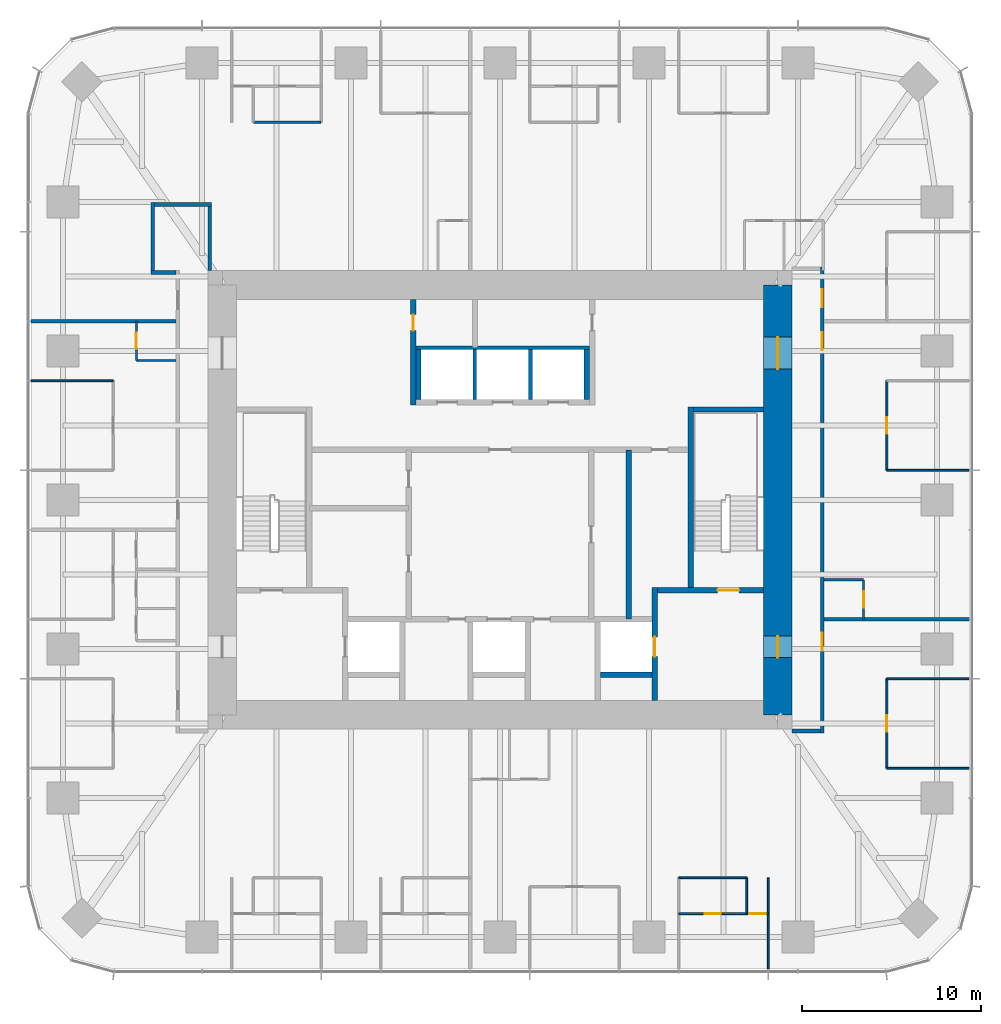
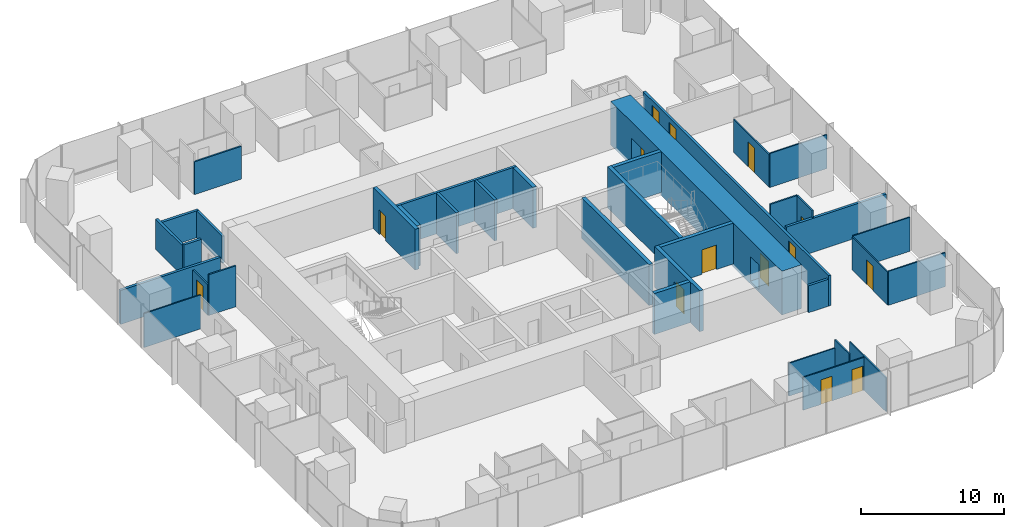
# One storey, part 10 of 12: 36 walls, 14 doors, 14 openings.
"""IFC4 building model written with IfcOpenShell, lengths in metres."""

from ifc_helpers import new_model, si_unit, direction, frame, frame_2d, origin, place, context, subcontext, project, spatial, rectangle, extrude, material, layer, layer_set, type_object, element, fill, save


model = new_model("IFC4")

# Units and contexts
model_context = context("Model", 3, precision=1e-05, world=origin(), true_north=direction((0.0, 1.0)))
body_context = subcontext(model_context, "Body", "Model", "MODEL_VIEW")
ifc_project = project(units=[si_unit("LENGTHUNIT", "METRE"), si_unit("AREAUNIT", "SQUARE_METRE"), si_unit("VOLUMEUNIT", "CUBIC_METRE"), si_unit("PLANEANGLEUNIT", "RADIAN"), si_unit("MASSUNIT", "GRAM", prefix="KILO")], contexts=[model_context])

# Site, building, storey
site_placement = place(None, origin())
site = spatial("IfcSite", under=ifc_project, at=site_placement, CompositionType="ELEMENT")
building_placement = place(site_placement, origin())
building = spatial("IfcBuilding", under=site, at=building_placement, Name="Khuree Lantern Residences", CompositionType="ELEMENT")
storey_placement = place(building_placement, frame((0.0, 0.0, 218.25)))
storey = spatial("IfcBuildingStorey", under=building, at=storey_placement, Name="L54", CompositionType="ELEMENT", Elevation=218.25)

# Wall, opening, door
ifc_material_1 = material(Name="Moisture-resistant gypsum board on steel studs", Category="steel")
ifc_layer_1 = layer(ifc_material_1, 0.125)
ifc_layer_set_1 = layer_set([ifc_layer_1], Name="BATHROOM WALL BTW125")
wall_type_1 = type_object("IfcWallType", Name="BATHROOM WALL BTW125", PredefinedType="PARTITIONING", material=ifc_layer_set_1)
wall_1_placement = place(storey_placement, frame((20.300048828125, -6.656005859375, 0.0), z_axis=(0.0, 0.0, 1.0), x_axis=(0.0, 1.0, 0.0)))
wall_1 = element("IfcWall", 1, at=wall_1_placement, inside=storey, type_object=wall_type_1, Name="L54 BATHROOM WALL 01", PredefinedType="PARTITIONING", context=body_context, shape_type="SweptSolid", body=[
    extrude(rectangle(XDim=2.199951171875, YDim=0.125, at=frame_2d((1.10009765625, 0.0))), origin(), (0.0, 0.0, 1.0), 3.5),
])
opening_1_placement = place(wall_1_placement, frame((0.64990234375, 0.0, 0.0)))
opening_1 = element("IfcOpeningElement", 2, at=opening_1_placement, cuts=wall_1, Name="Opening 54-023", PredefinedType="OPENING", context=body_context, shape_type="SweptSolid", body=[
    extrude(rectangle(XDim=0.89990234375, YDim=2.10009765625, at=frame_2d((0.449951171875, 1.050048828125))), frame((0.0, 0.072509765625, 0.0), z_axis=(0.0, -1.0, 0.0), x_axis=(1.0, 0.0, 0.0)), (0.0, 0.0, 1.0), 0.14501953125),
])
ifc_material_2 = material(Name="Timber door leaf in hardwood frame", Category="wood")
door_type_1 = type_object("IfcDoorType", Name="BATHROOM DOOR 900X2100", OperationType="SINGLE_SWING_LEFT", PredefinedType="DOOR", material=ifc_material_2)
door_1_placement = place(opening_1_placement, origin())
door_1 = element("IfcDoor", 3, at=door_1_placement, inside=storey, type_object=door_type_1, Name="Bathroom door 54-023", OperationType="SINGLE_SWING_LEFT", OverallHeight=2.10009765625, OverallWidth=0.89990234375, PredefinedType="DOOR", context=body_context, shape_type="SweptSolid", body=[
    extrude(rectangle(XDim=0.89990234375, YDim=2.10009765625, at=frame_2d((0.449951171875, 1.050048828125))), frame((0.0, 0.02490234375, 0.0), z_axis=(0.0, -1.0, 0.0), x_axis=(1.0, 0.0, 0.0)), (0.0, 0.0, 1.0), 0.050048828125),
])
fill(opening_1, door_1)

# Walls
wall_2_placement = place(storey_placement, frame((18.10009765625, -4.4560546875, 0.0), z_axis=(0.0, 0.0, 1.0), x_axis=(1.0, 0.0, 0.0)))
element("IfcWall", 4, at=wall_2_placement, inside=storey, type_object=wall_type_1, Name="L54 BATHROOM WALL 01", PredefinedType="PARTITIONING", context=body_context, shape_type="SweptSolid", body=[
    extrude(rectangle(XDim=2.199951171875, YDim=0.125, at=frame_2d((1.10009765625, 0.0))), origin(), (0.0, 0.0, 1.0), 3.5),
])
wall_3_placement = place(storey_placement, frame((-9.98388671875, 21.094970703125, 0.0), z_axis=(0.0, 0.0, 1.0), x_axis=(-1.0, 0.0, 0.0)))
element("IfcWall", 5, at=wall_3_placement, inside=storey, type_object=wall_type_1, Name="L54 BATHROOM WALL 03", PredefinedType="PARTITIONING", context=body_context, shape_type="SweptSolid", body=[
    extrude(rectangle(XDim=3.7919921875, YDim=0.125, at=frame_2d((1.89599609375, 0.0))), origin(), (0.0, 0.0, 1.0), 2.81005859375),
])

# Wall, opening, door
wall_4_placement = place(storey_placement, frame((-20.300048828125, 9.98388671875, 0.0), z_axis=(0.0, 0.0, 1.0), x_axis=(0.0, -1.0, 0.0)))
wall_4 = element("IfcWall", 6, at=wall_4_placement, inside=storey, type_object=wall_type_1, Name="L54 BATHROOM WALL 04", PredefinedType="PARTITIONING", context=body_context, shape_type="SweptSolid", body=[
    extrude(rectangle(XDim=2.199951171875, YDim=0.125, at=frame_2d((1.10009765625, 0.0))), origin(), (0.0, 0.0, 1.0), 2.60009765625),
])
opening_2_placement = place(wall_4_placement, frame((0.64990234375, 0.0, 0.0)))
opening_2 = element("IfcOpeningElement", 7, at=opening_2_placement, cuts=wall_4, Name="Opening 54-038", PredefinedType="OPENING", context=body_context, shape_type="SweptSolid", body=[
    extrude(rectangle(XDim=0.89990234375, YDim=2.10009765625, at=frame_2d((0.449951171875, 1.050048828125))), frame((0.0, 0.072509765625, 0.0), z_axis=(0.0, -1.0, 0.0), x_axis=(1.0, 0.0, 0.0)), (0.0, 0.0, 1.0), 0.14501953125),
])
door_2_placement = place(opening_2_placement, origin())
door_2 = element("IfcDoor", 8, at=door_2_placement, inside=storey, type_object=door_type_1, Name="Bathroom door 54-038", OperationType="SINGLE_SWING_LEFT", OverallHeight=2.10009765625, OverallWidth=0.89990234375, PredefinedType="DOOR", context=body_context, shape_type="SweptSolid", body=[
    extrude(rectangle(XDim=0.89990234375, YDim=2.10009765625, at=frame_2d((0.449951171875, 1.050048828125))), frame((0.0, 0.02490234375, 0.0), z_axis=(0.0, -1.0, 0.0), x_axis=(1.0, 0.0, 0.0)), (0.0, 0.0, 1.0), 0.050048828125),
])
fill(opening_2, door_2)

# Wall
wall_5_placement = place(storey_placement, frame((-18.10009765625, 7.783935546875, 0.0), z_axis=(0.0, 0.0, 1.0), x_axis=(-1.0, 0.0, 0.0)))
element("IfcWall", 9, at=wall_5_placement, inside=storey, type_object=wall_type_1, Name="L54 BATHROOM WALL 04", PredefinedType="PARTITIONING", context=body_context, shape_type="SweptSolid", body=[
    extrude(rectangle(XDim=2.199951171875, YDim=0.125, at=frame_2d((1.10009765625, 0.0))), origin(), (0.0, 0.0, 1.0), 3.5),
])

# Wall, opening, door
ifc_material_3 = material(Name="Dense concrete blockwork", Category="masonry")
ifc_layer_2 = layer(ifc_material_3, 0.300048828125)
ifc_layer_set_2 = layer_set([ifc_layer_2], Name="CORE PARTITION WALL CPW300 EI 120")
wall_type_2 = type_object("IfcWallType", Name="CORE PARTITION WALL CPW300 EI 120", PredefinedType="PARTITIONING", material=ifc_layer_set_2)
wall_6_placement = place(storey_placement, frame((8.64990234375, -11.199951171875, 0.0), z_axis=(0.0, 0.0, 1.0), x_axis=(0.0, 1.0, 0.0)))
wall_6 = element("IfcWall", 10, at=wall_6_placement, inside=storey, type_object=wall_type_2, Name="L54 CORE WALL FL2E", PredefinedType="PARTITIONING", context=body_context, shape_type="SweptSolid", body=[
    extrude(rectangle(XDim=6.300048828125, YDim=0.300048828125, at=frame_2d((3.14990234375, 0.0))), origin(), (0.0, 0.0, 1.0), 3.5),
])
opening_3_placement = place(wall_6_placement, frame((2.449951171875, 0.0, 0.0)))
opening_3 = element("IfcOpeningElement", 11, at=opening_3_placement, cuts=wall_6, Name="Opening 54-008", PredefinedType="OPENING", context=body_context, shape_type="SweptSolid", body=[
    extrude(rectangle(XDim=1.10009765625, YDim=2.10009765625, at=frame_2d((0.550048828125, 1.050048828125))), frame((0.0, 0.16015625, 0.0), z_axis=(0.0, -1.0, 0.0), x_axis=(1.0, 0.0, 0.0)), (0.0, 0.0, 1.0), 0.320068359375),
])
ifc_material_4 = material(Name="Stainless steel lift landing door", Category="steel")
door_type_2 = type_object("IfcDoorType", Name="LIFT LANDING DOOR 1100X2100 E 120", OperationType="DOUBLE_DOOR_SLIDING", PredefinedType="DOOR", material=ifc_material_4)
door_3_placement = place(opening_3_placement, origin())
door_3 = element("IfcDoor", 12, at=door_3_placement, inside=storey, type_object=door_type_2, Name="Landing door FL2 54-008", OperationType="DOUBLE_DOOR_SLIDING", OverallHeight=2.10009765625, OverallWidth=1.10009765625, PredefinedType="DOOR", context=body_context, shape_type="SweptSolid", body=[
    extrude(rectangle(XDim=1.10009765625, YDim=2.10009765625, at=frame_2d((0.550048828125, 1.050048828125))), frame((0.0, 0.02490234375, 0.0), z_axis=(0.0, -1.0, 0.0), x_axis=(1.0, 0.0, 0.0)), (0.0, 0.0, 1.0), 0.050048828125),
])
fill(opening_3, door_3)

# Walls
wall_7_placement = place(storey_placement, frame((5.60009765625, -9.75, 0.0), z_axis=(0.0, 0.0, 1.0), x_axis=(1.0, 0.0, 0.0)))
element("IfcWall", 13, at=wall_7_placement, inside=storey, type_object=wall_type_2, Name="L54 CORE WALL FL2S", PredefinedType="PARTITIONING", context=body_context, shape_type="SweptSolid", body=[
    extrude(rectangle(XDim=2.89990234375, YDim=0.300048828125, at=frame_2d((1.449951171875, 0.0))), origin(), (0.0, 0.0, 1.0), 3.5),
])
for number, where, z_axis, x_axis, name in (
    (14, (-4.550048828125, 5.60009765625, 0.0), (0.0, 0.0, 1.0), (0.0, 1.0, 0.0), "L54 CORE WALL PHW"),
    (15, (4.85009765625, 5.60009765625, 0.0), (0.0, 0.0, 1.0), (0.0, 1.0, 0.0), "L54 CORE WALL PHE"),
):
    element("IfcWall", number, at=place(storey_placement, frame(where, z_axis=z_axis, x_axis=x_axis)), inside=storey, type_object=wall_type_2, Name=name, PredefinedType="PARTITIONING", context=body_context, shape_type="SweptSolid", body=[
        extrude(rectangle(XDim=2.7998046875, YDim=0.300048828125, at=frame_2d((1.39990234375, 0.0))), origin(), (0.0, 0.0, 1.0), 3.5),
    ])
wall_8_placement = place(storey_placement, frame((7.193115234375, -6.64990234375, 0.0), z_axis=(0.0, 0.0, 1.0), x_axis=(0.0, 1.0, 0.0)))
element("IfcWall", 16, at=wall_8_placement, inside=storey, type_object=wall_type_2, Name="L54 CORE WALL EV", PredefinedType="PARTITIONING", context=body_context, shape_type="SweptSolid", body=[
    extrude(rectangle(XDim=9.449951171875, YDim=0.300048828125, at=frame_2d((4.72509765625, 0.0))), origin(), (0.0, 0.0, 1.0), 3.5),
])

# Wall, opening, door
wall_9_placement = place(storey_placement, frame((-4.85009765625, 5.300048828125, 0.0), z_axis=(0.0, 0.0, 1.0), x_axis=(0.0, 1.0, 0.0)))
wall_9 = element("IfcWall", 17, at=wall_9_placement, inside=storey, type_object=wall_type_2, Name="L54 CORE WALL NW", PredefinedType="PARTITIONING", context=body_context, shape_type="SweptSolid", body=[
    extrude(rectangle(XDim=5.89990234375, YDim=0.300048828125, at=frame_2d((2.949951171875, 0.0))), origin(), (0.0, 0.0, 1.0), 3.5),
])
opening_4_placement = place(wall_9_placement, frame((4.14990234375, 0.0, 0.0)))
opening_4 = element("IfcOpeningElement", 18, at=opening_4_placement, cuts=wall_9, Name="Opening 54-020", PredefinedType="OPENING", context=body_context, shape_type="SweptSolid", body=[
    extrude(rectangle(XDim=0.89990234375, YDim=2.10009765625, at=frame_2d((0.449951171875, 1.050048828125))), frame((0.0, 0.16015625, 0.0), z_axis=(0.0, -1.0, 0.0), x_axis=(1.0, 0.0, 0.0)), (0.0, 0.0, 1.0), 0.320068359375),
])
door_type_3 = type_object("IfcDoorType", Name="DOOR 900X2100 RIGHT HAND", OperationType="SINGLE_SWING_RIGHT", PredefinedType="DOOR", material=ifc_material_2)
door_4_placement = place(opening_4_placement, origin())
door_4 = element("IfcDoor", 19, at=door_4_placement, inside=storey, type_object=door_type_3, Name="Comms room door 54-020", OperationType="SINGLE_SWING_RIGHT", OverallHeight=2.10009765625, OverallWidth=0.89990234375, PredefinedType="DOOR", context=body_context, shape_type="SweptSolid", body=[
    extrude(rectangle(XDim=0.89990234375, YDim=2.10009765625, at=frame_2d((0.449951171875, 1.050048828125))), frame((0.0, 0.02490234375, 0.0), z_axis=(0.0, -1.0, 0.0), x_axis=(1.0, 0.0, 0.0)), (0.0, 0.0, 1.0), 0.050048828125),
])
fill(opening_4, door_4)

# Walls
ifc_material_5 = material(Name="Gypsum board on steel studs", Category="steel")
ifc_layer_3 = layer(ifc_material_5, 0.199951171875)
ifc_layer_set_3 = layer_set([ifc_layer_3], Name="CORRIDOR WALL CRW200 EI 60")
wall_type_3 = type_object("IfcWallType", Name="CORRIDOR WALL CRW200 EI 60", PredefinedType="PARTITIONING", material=ifc_layer_set_3)
wall_10_placement = place(storey_placement, frame((-18.10009765625, 12.699951171875, 0.0), z_axis=(0.0, 0.0, 1.0), x_axis=(-1.0, 0.0, 0.0)))
element("IfcWall", 20, at=wall_10_placement, inside=storey, type_object=wall_type_3, Name="L54 RESIDENTS LOUNGE WALL", PredefinedType="PARTITIONING", context=body_context, shape_type="SweptSolid", body=[
    extrude(rectangle(XDim=1.39990234375, YDim=0.199951171875, at=frame_2d((0.699951171875, 0.0))), origin(), (0.0, 0.0, 1.0), 2.81005859375),
])
wall_11_placement = place(storey_placement, frame((-19.39990234375, 12.60009765625, 0.0), z_axis=(0.0, 0.0, 1.0), x_axis=(0.0, 1.0, 0.0)))
element("IfcWall", 21, at=wall_11_placement, inside=storey, type_object=wall_type_3, Name="L54 RESIDENTS LOUNGE WALL", PredefinedType="PARTITIONING", context=body_context, shape_type="SweptSolid", body=[
    extrude(rectangle(XDim=4.0, YDim=0.199951171875, at=frame_2d((2.0, 0.0))), origin(), (0.0, 0.0, 1.0), 2.60009765625),
])
wall_12_placement = place(storey_placement, frame((-19.300048828125, 16.5, 0.0), z_axis=(0.0, 0.0, 1.0), x_axis=(1.0, 0.0, 0.0)))
element("IfcWall", 22, at=wall_12_placement, inside=storey, type_object=wall_type_3, Name="L54 RESIDENTS LOUNGE WALL", PredefinedType="PARTITIONING", context=body_context, shape_type="SweptSolid", body=[
    extrude(rectangle(XDim=3.199951171875, YDim=0.199951171875, at=frame_2d((1.60009765625, 0.0))), origin(), (0.0, 0.0, 1.0), 2.300048828125),
])
wall_13_placement = place(storey_placement, frame((-16.199951171875, 16.60009765625, 0.0), z_axis=(0.0, 0.0, 1.0), x_axis=(0.0, -1.0, 0.0)))
element("IfcWall", 23, at=wall_13_placement, inside=storey, type_object=wall_type_3, Name="L54 RESIDENTS LOUNGE WALL", PredefinedType="PARTITIONING", context=body_context, shape_type="SweptSolid", body=[
    extrude(rectangle(XDim=3.800048828125, YDim=0.199951171875, at=frame_2d((1.89990234375, 0.0))), origin(), (0.0, 0.0, 1.0), 2.300048828125),
])
wall_14_placement = place(storey_placement, frame((16.300048828125, -12.89990234375, 0.0), z_axis=(0.0, 0.0, 1.0), x_axis=(1.0, 0.0, 0.0)))
element("IfcWall", 24, at=wall_14_placement, inside=storey, type_object=wall_type_3, Name="L54 EAST CORRIDOR SOUTH END WALL", PredefinedType="PARTITIONING", context=body_context, shape_type="SweptSolid", body=[
    extrude(rectangle(XDim=1.599853515625, YDim=0.199951171875, at=frame_2d((0.7998046875, 0.0))), origin(), (0.0, 0.0, 1.0), 2.300048828125),
])

# Wall, openings, doors
wall_15_placement = place(storey_placement, frame((18.0, -13.0, 0.0), z_axis=(0.0, 0.0, 1.0), x_axis=(0.0, 1.0, 0.0)))
wall_15 = element("IfcWall", 25, at=wall_15_placement, inside=storey, type_object=wall_type_3, Name="L54 CORRIDOR WALL EAST 1", PredefinedType="PARTITIONING", context=body_context, shape_type="SweptSolid", body=[
    extrude(rectangle(XDim=26.0, YDim=0.199951171875, at=frame_2d((13.0, 0.0))), origin(), (0.0, 0.0, 1.0), 2.60009765625),
])
opening_5_placement = place(wall_15_placement, frame((21.364013671875, 0.0, 0.0)))
opening_5 = element("IfcOpeningElement", 26, at=opening_5_placement, cuts=wall_15, Name="Opening 54-024", PredefinedType="OPENING", context=body_context, shape_type="SweptSolid", body=[
    extrude(rectangle(XDim=1.0, YDim=2.199951171875, at=frame_2d((0.5, 1.10009765625))), frame((0.0, 0.10986328125, 0.0), z_axis=(0.0, -1.0, 0.0), x_axis=(1.0, 0.0, 0.0)), (0.0, 0.0, 1.0), 0.219970703125),
])
opening_6_placement = place(wall_15_placement, frame((23.75390625, 0.0, 0.0)))
opening_6 = element("IfcOpeningElement", 27, at=opening_6_placement, cuts=wall_15, Name="Opening 54-031", PredefinedType="OPENING", context=body_context, shape_type="SweptSolid", body=[
    extrude(rectangle(XDim=1.0, YDim=2.199951171875, at=frame_2d((0.5, 1.10009765625))), frame((0.0, 0.10986328125, 0.0), z_axis=(0.0, -1.0, 0.0), x_axis=(1.0, 0.0, 0.0)), (0.0, 0.0, 1.0), 0.219970703125),
])
opening_7_placement = place(wall_15_placement, frame((4.60009765625, 0.0, 0.0)))
opening_7 = element("IfcOpeningElement", 28, at=opening_7_placement, cuts=wall_15, Name="Opening 54-056", PredefinedType="OPENING", context=body_context, shape_type="SweptSolid", body=[
    extrude(rectangle(XDim=1.0, YDim=2.199951171875, at=frame_2d((0.5, 1.10009765625))), frame((0.0, 0.10986328125, 0.0), z_axis=(0.0, -1.0, 0.0), x_axis=(1.0, 0.0, 0.0)), (0.0, 0.0, 1.0), 0.219970703125),
])
door_type_4 = type_object("IfcDoorType", Name="APARTMENT ENTRANCE DOOR 1000X2200 EI 30S", OperationType="SINGLE_SWING_LEFT", PredefinedType="DOOR", material=ifc_material_2)
door_5_placement = place(opening_7_placement, origin())
door_5 = element("IfcDoor", 29, at=door_5_placement, inside=storey, type_object=door_type_4, Name="Apartment 06 entrance door 54-056", OperationType="SINGLE_SWING_LEFT", OverallHeight=2.199951171875, OverallWidth=1.0, PredefinedType="DOOR", context=body_context, shape_type="SweptSolid", body=[
    extrude(rectangle(XDim=1.0, YDim=2.199951171875, at=frame_2d((0.5, 1.10009765625))), frame((0.0, 0.02490234375, 0.0), z_axis=(0.0, -1.0, 0.0), x_axis=(1.0, 0.0, 0.0)), (0.0, 0.0, 1.0), 0.050048828125),
])
fill(opening_7, door_5)
door_type_5 = type_object("IfcDoorType", Name="APARTMENT ENTRANCE DOOR 1000X2200 EI 30S RIGHT HAND", OperationType="SINGLE_SWING_RIGHT", PredefinedType="DOOR", material=ifc_material_2)
door_6_placement = place(opening_5_placement, origin())
door_6 = element("IfcDoor", 30, at=door_6_placement, inside=storey, type_object=door_type_5, Name="Apartment 01 entrance door 54-024", OperationType="SINGLE_SWING_RIGHT", OverallHeight=2.199951171875, OverallWidth=1.0, PredefinedType="DOOR", context=body_context, shape_type="SweptSolid", body=[
    extrude(rectangle(XDim=1.0, YDim=2.199951171875, at=frame_2d((0.5, 1.10009765625))), frame((0.0, 0.02490234375, 0.0), z_axis=(0.0, -1.0, 0.0), x_axis=(1.0, 0.0, 0.0)), (0.0, 0.0, 1.0), 0.050048828125),
])
fill(opening_5, door_6)
door_7_placement = place(opening_6_placement, origin())
door_7 = element("IfcDoor", 31, at=door_7_placement, inside=storey, type_object=door_type_5, Name="Apartment 02 entrance door 54-031", OperationType="SINGLE_SWING_RIGHT", OverallHeight=2.199951171875, OverallWidth=1.0, PredefinedType="DOOR", context=body_context, shape_type="SweptSolid", body=[
    extrude(rectangle(XDim=1.0, YDim=2.199951171875, at=frame_2d((0.5, 1.10009765625))), frame((0.0, 0.02490234375, 0.0), z_axis=(0.0, -1.0, 0.0), x_axis=(1.0, 0.0, 0.0)), (0.0, 0.0, 1.0), 0.050048828125),
])
fill(opening_6, door_7)

ifc_material_6 = material(Name="Concrete C50/60", Category="concrete")
ifc_layer_4 = layer(ifc_material_6, 1.60009765625)
ifc_layer_set_4 = layer_set([ifc_layer_4], Name="CW1600-C50 CORE WALL C50 1600")
wall_type_4 = type_object("IfcWallType", Name="CW1600-C50 CORE WALL C50 1600", PredefinedType="SHEAR", material=ifc_layer_set_4)
wall_16_placement = place(storey_placement, frame((15.5, -12.0, -0.25), z_axis=(0.0, 0.0, 1.0), x_axis=(0.0, 1.0, 0.0)))
wall_16 = element("IfcWall", 32, at=wall_16_placement, inside=storey, type_object=wall_type_4, Name="Core wall E", PredefinedType="SHEAR", context=body_context, shape_type="SweptSolid", body=[
    extrude(rectangle(XDim=24.0, YDim=1.60009765625, at=frame_2d((12.0, 0.0))), origin(), (0.0, 0.0, 1.0), 3.75),
])
opening_8_placement = place(wall_16_placement, frame((3.199951171875, 0.0, 0.25)))
opening_8 = element("IfcOpeningElement", 33, at=opening_8_placement, cuts=wall_16, Name="Opening 54-005", PredefinedType="OPENING", context=body_context, shape_type="SweptSolid", body=[
    extrude(rectangle(XDim=1.199951171875, YDim=2.10009765625, at=frame_2d((0.60009765625, 1.050048828125))), frame((0.0, 0.81005859375, 0.0), z_axis=(0.0, -1.0, 0.0), x_axis=(1.0, 0.0, 0.0)), (0.0, 0.0, 1.0), 1.6201171875),
])
opening_9_placement = place(wall_16_placement, frame((19.300048828125, 0.0, 0.25)))
opening_9 = element("IfcOpeningElement", 34, at=opening_9_placement, cuts=wall_16, Name="Opening 54-006", PredefinedType="OPENING", context=body_context, shape_type="SweptSolid", body=[
    extrude(rectangle(XDim=1.800048828125, YDim=2.10009765625, at=frame_2d((0.89990234375, 1.050048828125))), frame((0.0, 0.81005859375, 0.0), z_axis=(0.0, -1.0, 0.0), x_axis=(1.0, 0.0, 0.0)), (0.0, 0.0, 1.0), 1.6201171875),
])
ifc_material_7 = material(Name="Steel door leaf in steel frame", Category="steel")
door_type_6 = type_object("IfcDoorType", Name="LOBBY DOOR 1200X2100 EI 120", OperationType="SINGLE_SWING_LEFT", PredefinedType="DOOR", material=ifc_material_7)
door_8_placement = place(opening_8_placement, origin())
door_8 = element("IfcDoor", 35, at=door_8_placement, inside=storey, type_object=door_type_6, Name="Firefighting lobby door 54-005", OperationType="SINGLE_SWING_LEFT", OverallHeight=2.10009765625, OverallWidth=1.199951171875, PredefinedType="DOOR", context=body_context, shape_type="SweptSolid", body=[
    extrude(rectangle(XDim=1.199951171875, YDim=2.10009765625, at=frame_2d((0.60009765625, 1.050048828125))), frame((0.0, 0.02490234375, 0.0), z_axis=(0.0, -1.0, 0.0), x_axis=(1.0, 0.0, 0.0)), (0.0, 0.0, 1.0), 0.050048828125),
])
fill(opening_8, door_8)
door_type_7 = type_object("IfcDoorType", Name="LOBBY DOUBLE DOOR 1800X2100 EI 60", OperationType="DOUBLE_DOOR_SINGLE_SWING", PredefinedType="DOOR", material=ifc_material_7)
door_9_placement = place(opening_9_placement, origin())
door_9 = element("IfcDoor", 36, at=door_9_placement, inside=storey, type_object=door_type_7, Name="Lift lobby door 54-006", OperationType="DOUBLE_DOOR_SINGLE_SWING", OverallHeight=2.10009765625, OverallWidth=1.800048828125, PredefinedType="DOOR", context=body_context, shape_type="SweptSolid", body=[
    extrude(rectangle(XDim=1.800048828125, YDim=2.10009765625, at=frame_2d((0.89990234375, 1.050048828125))), frame((0.0, 0.02490234375, 0.0), z_axis=(0.0, -1.0, 0.0), x_axis=(1.0, 0.0, 0.0)), (0.0, 0.0, 1.0), 0.050048828125),
])
fill(opening_9, door_9)

# Walls
ifc_layer_5 = layer(ifc_material_5, 0.199951171875)
ifc_layer_set_5 = layer_set([ifc_layer_5], Name="DEMISING WALL DMW200 EI 90")
wall_type_5 = type_object("IfcWallType", Name="DEMISING WALL DMW200 EI 90", PredefinedType="PARTITIONING", material=ifc_layer_set_5)
for number, where, z_axis, x_axis, name in (
    (37, (18.10009765625, -6.656005859375, 0.0), (0.0, 0.0, 1.0), (1.0, 0.0, 0.0), "L54 DEMISING WALL 01"),
    (38, (-18.10009765625, 9.98388671875, 0.0), (0.0, 0.0, 1.0), (-1.0, 0.0, 0.0), "L54 DEMISING WALL 04"),
):
    element("IfcWall", number, at=place(storey_placement, frame(where, z_axis=z_axis, x_axis=x_axis)), inside=storey, type_object=wall_type_5, Name=name, PredefinedType="PARTITIONING", context=body_context, shape_type="SweptSolid", body=[
        extrude(rectangle(XDim=8.099853515625, YDim=0.199951171875, at=frame_2d((4.0498046875, 0.0))), origin(), (0.0, 0.0, 1.0), 2.909912109375),
    ])
ifc_layer_6 = layer(ifc_material_5, 0.10009765625)
ifc_layer_set_6 = layer_set([ifc_layer_6], Name="PARTITION PT100")
wall_type_6 = type_object("IfcWallType", Name="PARTITION PT100", PredefinedType="PARTITIONING", material=ifc_layer_set_6)
for number, where, z_axis, x_axis, name in (
    (39, (21.60009765625, 1.6640625, 0.0), (0.0, 0.0, 1.0), (1.0, 0.0, 0.0), "L54 PARTITION 01"),
    (40, (-21.60009765625, 6.656005859375, 0.0), (0.0, 0.0, 1.0), (-1.0, 0.0, 0.0), "L54 PARTITION 04"),
):
    element("IfcWall", number, at=place(storey_placement, frame(where, z_axis=z_axis, x_axis=x_axis)), inside=storey, type_object=wall_type_6, Name=name, PredefinedType="PARTITIONING", context=body_context, shape_type="SweptSolid", body=[
        extrude(rectangle(XDim=4.599853515625, YDim=0.10009765625, at=frame_2d((2.2998046875, 0.0))), origin(), (0.0, 0.0, 1.0), 2.909912109375),
    ])
wall_17_placement = place(storey_placement, frame((14.97607421875, -21.094970703125, 0.0), z_axis=(0.0, 0.0, 1.0), x_axis=(0.0, -1.0, 0.0)))
element("IfcWall", 41, at=wall_17_placement, inside=storey, type_object=wall_type_6, Name="L54 PARTITION 06", PredefinedType="PARTITIONING", context=body_context, shape_type="SweptSolid", body=[
    extrude(rectangle(XDim=5.10498046875, YDim=0.10009765625, at=frame_2d((2.552490234375, 0.0))), origin(), (0.0, 0.0, 1.0), 2.909912109375),
])
for number, where, z_axis, x_axis, name in (
    (42, (21.60009765625, -14.97607421875, 0.0), (0.0, 0.0, 1.0), (1.0, 0.0, 0.0), "L54 PARTITION 06"),
    (43, (21.60009765625, -9.98388671875, 0.0), (0.0, 0.0, 1.0), (1.0, 0.0, 0.0), "L54 PARTITION 06"),
):
    element("IfcWall", number, at=place(storey_placement, frame(where, z_axis=z_axis, x_axis=x_axis)), inside=storey, type_object=wall_type_6, Name=name, PredefinedType="PARTITIONING", context=body_context, shape_type="SweptSolid", body=[
        extrude(rectangle(XDim=4.599853515625, YDim=0.10009765625, at=frame_2d((2.2998046875, 0.0))), origin(), (0.0, 0.0, 1.0), 2.909912109375),
    ])

# Wall, opening, door
wall_18_placement = place(storey_placement, frame((21.60009765625, 1.6640625, 0.0), z_axis=(0.0, 0.0, 1.0), x_axis=(0.0, 1.0, 0.0)))
wall_18 = element("IfcWall", 44, at=wall_18_placement, inside=storey, type_object=wall_type_6, Name="L54 PARTITION 01", PredefinedType="PARTITIONING", context=body_context, shape_type="SweptSolid", body=[
    extrude(rectangle(XDim=4.991943359375, YDim=0.10009765625, at=frame_2d((2.49609375, 0.0))), origin(), (0.0, 0.0, 1.0), 2.81005859375),
])
opening_10_placement = place(wall_18_placement, frame((2.0458984375, 0.0, 0.0)))
opening_10 = element("IfcOpeningElement", 45, at=opening_10_placement, cuts=wall_18, Name="Opening 54-022", PredefinedType="OPENING", context=body_context, shape_type="SweptSolid", body=[
    extrude(rectangle(XDim=0.89990234375, YDim=2.10009765625, at=frame_2d((0.449951171875, 1.050048828125))), frame((0.0, 0.06005859375, 0.0), z_axis=(0.0, -1.0, 0.0), x_axis=(1.0, 0.0, 0.0)), (0.0, 0.0, 1.0), 0.1201171875),
])
door_type_8 = type_object("IfcDoorType", Name="BEDROOM DOOR 900X2100", OperationType="SINGLE_SWING_LEFT", PredefinedType="DOOR", material=ifc_material_2)
door_10_placement = place(opening_10_placement, origin())
door_10 = element("IfcDoor", 46, at=door_10_placement, inside=storey, type_object=door_type_8, Name="Bedroom door 54-022", OperationType="SINGLE_SWING_LEFT", OverallHeight=2.10009765625, OverallWidth=0.89990234375, PredefinedType="DOOR", context=body_context, shape_type="SweptSolid", body=[
    extrude(rectangle(XDim=0.89990234375, YDim=2.10009765625, at=frame_2d((0.449951171875, 1.050048828125))), frame((0.0, 0.02490234375, 0.0), z_axis=(0.0, -1.0, 0.0), x_axis=(1.0, 0.0, 0.0)), (0.0, 0.0, 1.0), 0.050048828125),
])
fill(opening_10, door_10)

# Wall, openings, doors
wall_19_placement = place(storey_placement, frame((9.98388671875, -23.094970703125, 0.0), z_axis=(0.0, 0.0, 1.0), x_axis=(1.0, 0.0, 0.0)))
wall_19 = element("IfcWall", 47, at=wall_19_placement, inside=storey, type_object=wall_type_6, Name="L54 PARTITION 06", PredefinedType="PARTITIONING", context=body_context, shape_type="SweptSolid", body=[
    extrude(rectangle(XDim=4.9921875, YDim=0.10009765625, at=frame_2d((2.49609375, 0.0))), origin(), (0.0, 0.0, 1.0), 2.81005859375),
])
opening_11_placement = place(wall_19_placement, frame((3.94189453125, 0.0, 0.0)))
opening_11 = element("IfcOpeningElement", 48, at=opening_11_placement, cuts=wall_19, Name="Opening 54-051", PredefinedType="OPENING", context=body_context, shape_type="SweptSolid", body=[
    extrude(rectangle(XDim=0.89990234375, YDim=2.10009765625, at=frame_2d((0.449951171875, 1.050048828125))), frame((0.0, 0.06005859375, 0.0), z_axis=(0.0, -1.0, 0.0), x_axis=(1.0, 0.0, 0.0)), (0.0, 0.0, 1.0), 0.1201171875),
])
opening_12_placement = place(wall_19_placement, frame((1.446044921875, 0.0, 0.0)))
opening_12 = element("IfcOpeningElement", 49, at=opening_12_placement, cuts=wall_19, Name="Opening 54-052", PredefinedType="OPENING", context=body_context, shape_type="SweptSolid", body=[
    extrude(rectangle(XDim=0.89990234375, YDim=2.10009765625, at=frame_2d((0.449951171875, 1.050048828125))), frame((0.0, 0.06005859375, 0.0), z_axis=(0.0, -1.0, 0.0), x_axis=(1.0, 0.0, 0.0)), (0.0, 0.0, 1.0), 0.1201171875),
])
door_11_placement = place(opening_11_placement, origin())
door_11 = element("IfcDoor", 50, at=door_11_placement, inside=storey, type_object=door_type_8, Name="Bedroom door 54-051", OperationType="SINGLE_SWING_LEFT", OverallHeight=2.10009765625, OverallWidth=0.89990234375, PredefinedType="DOOR", context=body_context, shape_type="SweptSolid", body=[
    extrude(rectangle(XDim=0.89990234375, YDim=2.10009765625, at=frame_2d((0.449951171875, 1.050048828125))), frame((0.0, 0.02490234375, 0.0), z_axis=(0.0, -1.0, 0.0), x_axis=(1.0, 0.0, 0.0)), (0.0, 0.0, 1.0), 0.050048828125),
])
fill(opening_11, door_11)
door_type_9 = type_object("IfcDoorType", Name="DOOR 900X2100", OperationType="SINGLE_SWING_LEFT", PredefinedType="DOOR", material=ifc_material_2)
door_12_placement = place(opening_12_placement, origin())
door_12 = element("IfcDoor", 51, at=door_12_placement, inside=storey, type_object=door_type_9, Name="Wardrobe door 54-052", OperationType="SINGLE_SWING_LEFT", OverallHeight=2.10009765625, OverallWidth=0.89990234375, PredefinedType="DOOR", context=body_context, shape_type="SweptSolid", body=[
    extrude(rectangle(XDim=0.89990234375, YDim=2.10009765625, at=frame_2d((0.449951171875, 1.050048828125))), frame((0.0, 0.02490234375, 0.0), z_axis=(0.0, -1.0, 0.0), x_axis=(1.0, 0.0, 0.0)), (0.0, 0.0, 1.0), 0.050048828125),
])
fill(opening_12, door_12)

# Walls
wall_20_placement = place(storey_placement, frame((13.77587890625, -21.094970703125, 0.0), z_axis=(0.0, 0.0, 1.0), x_axis=(0.0, -1.0, 0.0)))
element("IfcWall", 52, at=wall_20_placement, inside=storey, type_object=wall_type_6, Name="L54 PARTITION 06", PredefinedType="PARTITIONING", context=body_context, shape_type="SweptSolid", body=[
    extrude(rectangle(XDim=2.0, YDim=0.10009765625, at=frame_2d((1.0, 0.0))), origin(), (0.0, 0.0, 1.0), 3.5),
])
wall_21_placement = place(storey_placement, frame((9.98388671875, -21.094970703125, 0.0), z_axis=(0.0, 0.0, 1.0), x_axis=(1.0, 0.0, 0.0)))
element("IfcWall", 53, at=wall_21_placement, inside=storey, type_object=wall_type_6, Name="L54 PARTITION 06", PredefinedType="PARTITIONING", context=body_context, shape_type="SweptSolid", body=[
    extrude(rectangle(XDim=3.7919921875, YDim=0.10009765625, at=frame_2d((1.89599609375, 0.0))), origin(), (0.0, 0.0, 1.0), 2.81005859375),
])

# Wall, opening, door
wall_22_placement = place(storey_placement, frame((21.60009765625, -14.97607421875, 0.0), z_axis=(0.0, 0.0, 1.0), x_axis=(0.0, 1.0, 0.0)))
wall_22 = element("IfcWall", 54, at=wall_22_placement, inside=storey, type_object=wall_type_6, Name="L54 PARTITION 06", PredefinedType="PARTITIONING", context=body_context, shape_type="SweptSolid", body=[
    extrude(rectangle(XDim=4.9921875, YDim=0.10009765625, at=frame_2d((2.49609375, 0.0))), origin(), (0.0, 0.0, 1.0), 2.81005859375),
])
opening_13_placement = place(wall_22_placement, frame((2.0458984375, 0.0, 0.0)))
opening_13 = element("IfcOpeningElement", 55, at=opening_13_placement, cuts=wall_22, Name="Opening 54-053", PredefinedType="OPENING", context=body_context, shape_type="SweptSolid", body=[
    extrude(rectangle(XDim=0.89990234375, YDim=2.10009765625, at=frame_2d((0.449951171875, 1.050048828125))), frame((0.0, 0.06005859375, 0.0), z_axis=(0.0, -1.0, 0.0), x_axis=(1.0, 0.0, 0.0)), (0.0, 0.0, 1.0), 0.1201171875),
])
door_13_placement = place(opening_13_placement, origin())
door_13 = element("IfcDoor", 56, at=door_13_placement, inside=storey, type_object=door_type_8, Name="Bedroom door 54-053", OperationType="SINGLE_SWING_LEFT", OverallHeight=2.10009765625, OverallWidth=0.89990234375, PredefinedType="DOOR", context=body_context, shape_type="SweptSolid", body=[
    extrude(rectangle(XDim=0.89990234375, YDim=2.10009765625, at=frame_2d((0.449951171875, 1.050048828125))), frame((0.0, 0.02490234375, 0.0), z_axis=(0.0, -1.0, 0.0), x_axis=(1.0, 0.0, 0.0)), (0.0, 0.0, 1.0), 0.050048828125),
])
fill(opening_13, door_13)

# Walls
ifc_layer_7 = layer(ifc_material_3, 0.199951171875)
ifc_layer_set_7 = layer_set([ifc_layer_7], Name="SHAFT WALL SHW200 EI 120")
wall_type_7 = type_object("IfcWallType", Name="SHAFT WALL SHW200 EI 120", PredefinedType="PARTITIONING", material=ifc_layer_set_7)
wall_23_placement = place(storey_placement, frame((-4.699951171875, 8.5, 0.0), z_axis=(0.0, 0.0, 1.0), x_axis=(1.0, 0.0, 0.0)))
element("IfcWall", 57, at=wall_23_placement, inside=storey, type_object=wall_type_7, Name="L54 CORE WALL PHN", PredefinedType="PARTITIONING", context=body_context, shape_type="SweptSolid", body=[
    extrude(rectangle(XDim=9.699951171875, YDim=0.199951171875, at=frame_2d((4.85009765625, 0.0))), origin(), (0.0, 0.0, 1.0), 3.5),
])
for number, where, z_axis, x_axis, name in (
    (58, (-1.39990234375, 5.60009765625, 0.0), (0.0, 0.0, 1.0), (0.0, 1.0, 0.0), "L54 CORE WALL PHD1"),
    (59, (1.699951171875, 5.60009765625, 0.0), (0.0, 0.0, 1.0), (0.0, 1.0, 0.0), "L54 CORE WALL PHD2"),
):
    element("IfcWall", number, at=place(storey_placement, frame(where, z_axis=z_axis, x_axis=x_axis)), inside=storey, type_object=wall_type_7, Name=name, PredefinedType="PARTITIONING", context=body_context, shape_type="SweptSolid", body=[
        extrude(rectangle(XDim=2.7998046875, YDim=0.199951171875, at=frame_2d((1.39990234375, 0.0))), origin(), (0.0, 0.0, 1.0), 3.5),
    ])
ifc_layer_8 = layer(ifc_material_6, 0.300048828125)
ifc_layer_set_8 = layer_set([ifc_layer_8], Name="STAIR WALL SRW300 C50/60 REI 240")
wall_type_8 = type_object("IfcWallType", Name="STAIR WALL SRW300 C50/60 REI 240", PredefinedType="SOLIDWALL", material=ifc_layer_set_8)
wall_24_placement = place(storey_placement, frame((10.64990234375, -4.89990234375, 0.0), z_axis=(0.0, 0.0, 1.0), x_axis=(0.0, 1.0, 0.0)))
element("IfcWall", 60, at=wall_24_placement, inside=storey, type_object=wall_type_8, Name="L54 STAIR WALL ST2E", PredefinedType="SOLIDWALL", context=body_context, shape_type="SweptSolid", body=[
    extrude(rectangle(XDim=10.099853515625, YDim=0.300048828125, at=frame_2d((5.0498046875, 0.0))), origin(), (0.0, 0.0, 1.0), 3.5),
])

# Wall, opening, door
wall_25_placement = place(storey_placement, frame((14.699951171875, -5.050048828125, 0.0), z_axis=(0.0, 0.0, 1.0), x_axis=(-1.0, 0.0, 0.0)))
wall_25 = element("IfcWall", 61, at=wall_25_placement, inside=storey, type_object=wall_type_8, Name="L54 STAIR WALL ST2S", PredefinedType="SOLIDWALL", context=body_context, shape_type="SweptSolid", body=[
    extrude(rectangle(XDim=5.89990234375, YDim=0.300048828125, at=frame_2d((2.949951171875, 0.0))), origin(), (0.0, 0.0, 1.0), 3.5),
])
opening_14_placement = place(wall_25_placement, frame((1.35009765625, 0.0, 0.0)))
opening_14 = element("IfcOpeningElement", 62, at=opening_14_placement, cuts=wall_25, Name="Opening 54-004", PredefinedType="OPENING", context=body_context, shape_type="SweptSolid", body=[
    extrude(rectangle(XDim=1.199951171875, YDim=2.10009765625, at=frame_2d((0.60009765625, 1.050048828125))), frame((0.0, 0.16015625, 0.0), z_axis=(0.0, -1.0, 0.0), x_axis=(1.0, 0.0, 0.0)), (0.0, 0.0, 1.0), 0.320068359375),
])
door_type_10 = type_object("IfcDoorType", Name="STAIR DOOR 1200X2100 EI 120", OperationType="SINGLE_SWING_LEFT", PredefinedType="DOOR", material=ifc_material_7)
door_14_placement = place(opening_14_placement, origin())
door_14 = element("IfcDoor", 63, at=door_14_placement, inside=storey, type_object=door_type_10, Name="Stair ST2 door 54-004", OperationType="SINGLE_SWING_LEFT", OverallHeight=2.10009765625, OverallWidth=1.199951171875, PredefinedType="DOOR", context=body_context, shape_type="SweptSolid", body=[
    extrude(rectangle(XDim=1.199951171875, YDim=2.10009765625, at=frame_2d((0.60009765625, 1.050048828125))), frame((0.0, 0.02490234375, 0.0), z_axis=(0.0, -1.0, 0.0), x_axis=(1.0, 0.0, 0.0)), (0.0, 0.0, 1.0), 0.050048828125),
])
fill(opening_14, door_14)

# Wall
wall_26_placement = place(storey_placement, frame((14.699951171875, 5.050048828125, 0.0), z_axis=(0.0, 0.0, 1.0), x_axis=(-1.0, 0.0, 0.0)))
element("IfcWall", 64, at=wall_26_placement, inside=storey, type_object=wall_type_8, Name="L54 STAIR WALL ST2N", PredefinedType="SOLIDWALL", context=body_context, shape_type="SweptSolid", body=[
    extrude(rectangle(XDim=3.89990234375, YDim=0.300048828125, at=frame_2d((1.949951171875, 0.0))), origin(), (0.0, 0.0, 1.0), 3.5),
])

save(model, "model.ifc")
